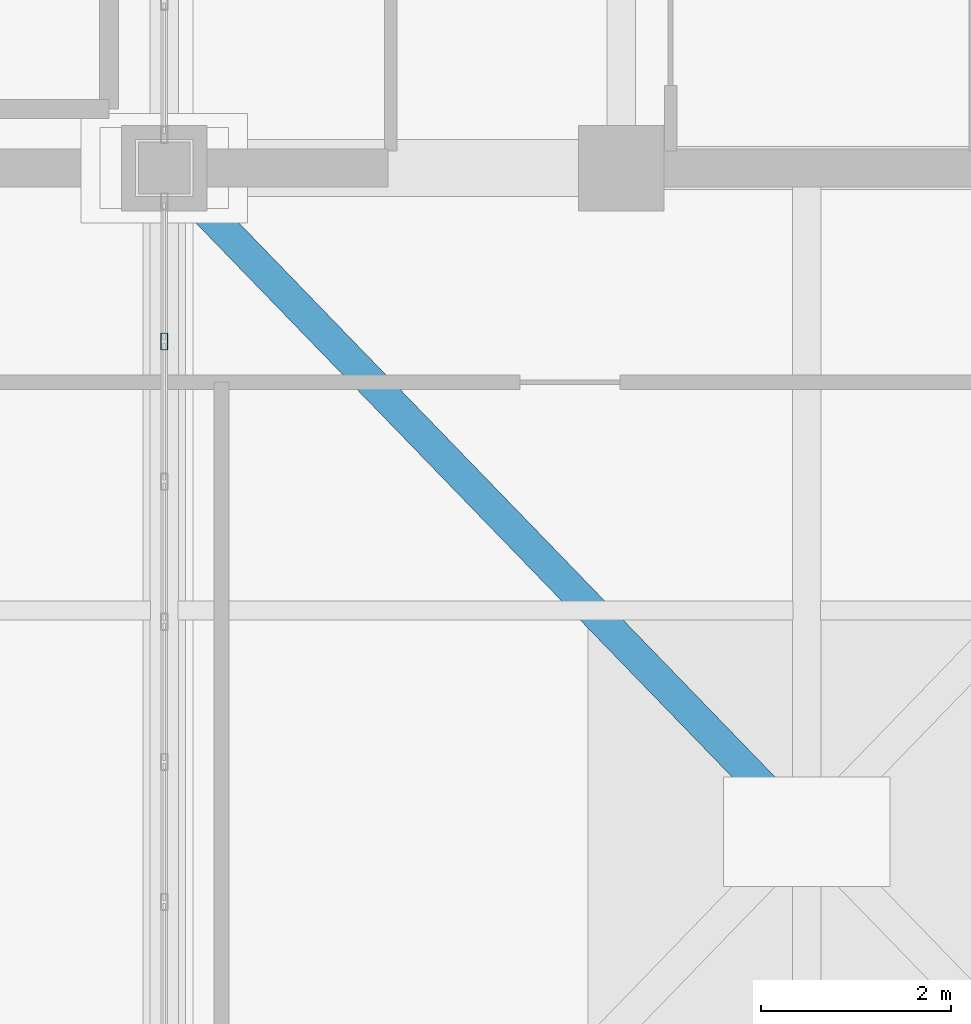
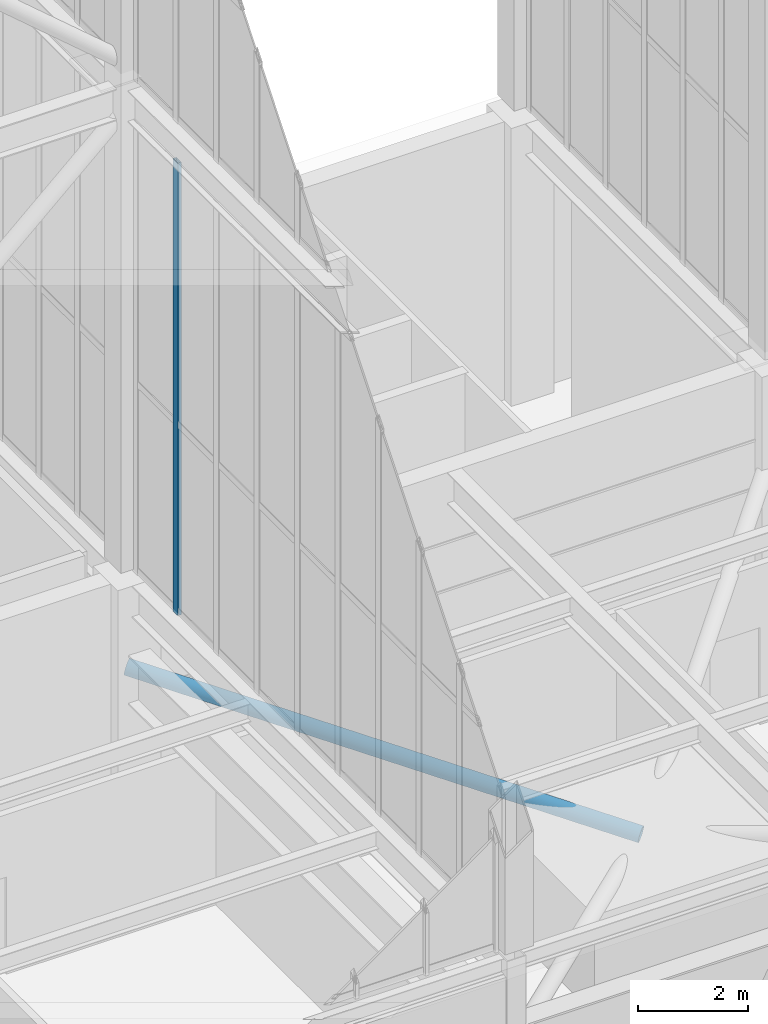
# One storey, part 16 of 135: 2 members, 1 element without a shape of its own.
"""IFC4 building model written with IfcOpenShell, lengths in metres."""

from ifc_helpers import new_model, si_unit, direction, frame, origin, origin_2d, place, context, subcontext, project, spatial, hollow_rectangle, hollow_circle, extrude, source, transform, mapped, material, layer, layer_set, material_profile, profile_set, type_object, element, aggregate, save


model = new_model("IFC4")

# Units and contexts
model_context = context("Model", 3, precision=1e-05, world=origin(), true_north=direction((0.0, 1.0)))
body_context = subcontext(model_context, "Body", "Model", "MODEL_VIEW")
ifc_project = project(units=[si_unit("LENGTHUNIT", "METRE"), si_unit("AREAUNIT", "SQUARE_METRE"), si_unit("VOLUMEUNIT", "CUBIC_METRE"), si_unit("PLANEANGLEUNIT", "RADIAN"), si_unit("MASSUNIT", "GRAM", prefix="KILO")], contexts=[model_context])

# Site, building, storey
site_placement = place(None, origin())
site = spatial("IfcSite", under=ifc_project, at=site_placement, CompositionType="ELEMENT")
building_placement = place(site_placement, origin())
building = spatial("IfcBuilding", under=site, at=building_placement, Name="Giltprow Tower", CompositionType="ELEMENT")
storey_placement = place(building_placement, frame((0.0, 0.0, 352.699951171875)))
storey = spatial("IfcBuildingStorey", under=building, at=storey_placement, Name="L92", CompositionType="ELEMENT", Elevation=352.699951171875)

# Member
ifc_material_1 = material(Name="Structural steel Q355B", Category="steel")
ifc_material_profile_1 = material_profile(ifc_material_1, hollow_circle(Radius=0.16259765625, WallThickness=0.01611328125, at=origin_2d()), Name="CHS 325x16")
ifc_profile_set_1 = profile_set([ifc_material_profile_1], Name="Structural steel Q355B")
member_type_1 = type_object("IfcMemberType", Name="MBR-TMD-CHS325", PredefinedType="STRUT", material=ifc_profile_set_1)
shared_shape_1 = source(origin(), body_context, "Body", "SweptSolid", [
    extrude(hollow_circle(Radius=0.16259765625, WallThickness=0.01611328125, at=origin_2d()), origin(), (0.0, 0.0, 1.0), 9.881103515625),
])
member_1_placement = place(storey_placement, frame((30.800048828125, 37.449951171875, 4.050048828125), z_axis=(0.683130000929, -0.70588617609, -0.187238105723), x_axis=(0.718594843179, 0.69542896931, 0.0)))
element("IfcMember", 1, at=member_1_placement, inside=storey, type_object=member_type_1, Name="Tuned Mass Damper Suspension Strut 4", PredefinedType="STRUT", context=body_context, shape_type="MappedRepresentation", body=[
    mapped(shared_shape_1, transform((0.0, 0.0, 0.0), x_axis=(1.0, 0.0, 0.0), y_axis=(0.0, 1.0, 0.0), z_axis=(0.0, 0.0, 1.0), scale=1.0)),
])

# Curtain wall, member
ifc_material_2 = material(Name="Anodized bronze", Category="metal")
ifc_layer = layer(ifc_material_2, 0.179931640625, Name="Anodized bronze")
ifc_layer_set = layer_set([ifc_layer], Name="Anodized bronze")
curtain_wall_type = type_object("IfcCurtainWallType", Name="CW-CROWN-LANTERN", PredefinedType="NOTDEFINED", material=ifc_layer_set)
curtain_wall_placement = place(storey_placement, origin())
curtain_wall = element("IfcCurtainWall", 2, at=curtain_wall_placement, inside=storey, type_object=curtain_wall_type, Name="Crown West Lower Lantern Glazing 2", PredefinedType="NOTDEFINED")
ifc_material_profile_2 = material_profile(ifc_material_2, hollow_rectangle(XDim=0.074951171875, YDim=0.179931640625, WallThickness=0.008056640625, at=origin_2d()), Name="RHS 180x75x8")
ifc_profile_set_2 = profile_set([ifc_material_profile_2], Name="Anodized bronze")
member_type_2 = type_object("IfcMemberType", Name="CW-MULLION-180x75", PredefinedType="MULLION", material=ifc_profile_set_2)
shared_shape_2 = source(origin(), body_context, "Body", "SweptSolid", [
    extrude(hollow_rectangle(XDim=0.074951171875, YDim=0.179931640625, WallThickness=0.008056640625, at=origin_2d()), origin(), (0.0, 0.0, 1.0), 10.030029296875),
])
member_2_placement = place(storey_placement, frame((30.800048828125, 35.6279296875, 6.35009765625), z_axis=(0.0, 0.0, 1.0), x_axis=(1.0, 0.0, 0.0)))
member_2 = element("IfcMember", 3, at=member_2_placement, type_object=member_type_2, Name="Crown West Lower Lantern Glazing 2 Mullion 9", PredefinedType="MULLION", context=body_context, shape_type="MappedRepresentation", body=[
    mapped(shared_shape_2, transform((0.0, 0.0, 0.0), x_axis=(1.0, 0.0, 0.0), y_axis=(0.0, 1.0, 0.0), z_axis=(0.0, 0.0, 1.0), scale=1.0)),
])
aggregate(curtain_wall, [member_2])

save(model, "model.ifc")
